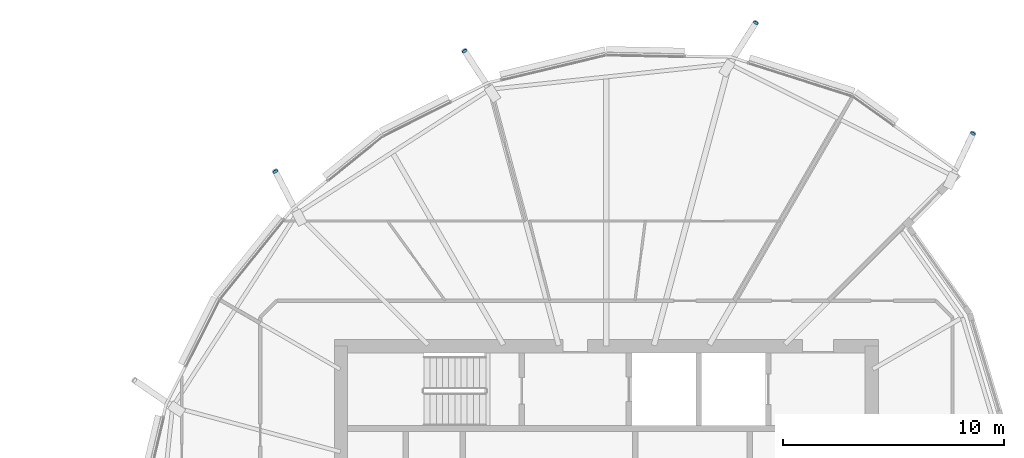
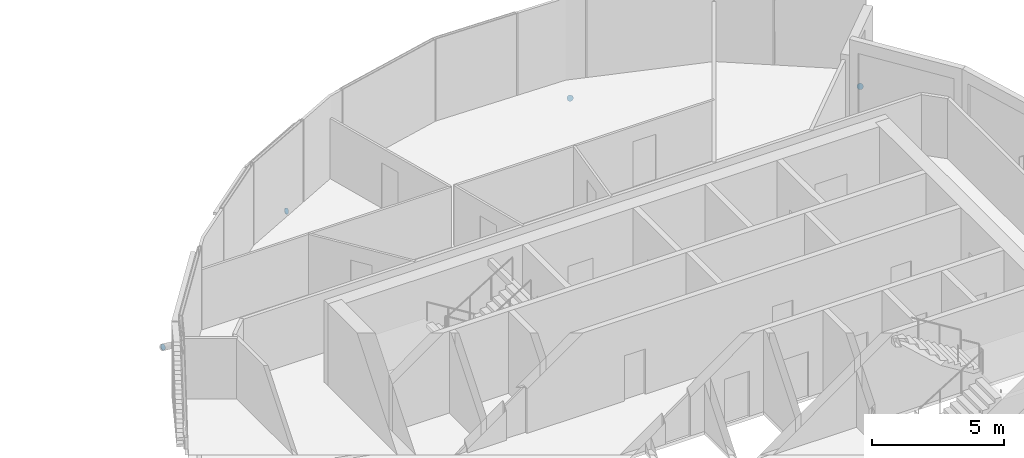
# One storey, part 31 of 37: 4 discrete accessories.
"""IFC4 building model written with IfcOpenShell, lengths in metres."""

from ifc_helpers import new_model, si_unit, direction, frame, origin, origin_2d, place, context, subcontext, project, spatial, circle, extrude, material, material_profile, profile_set, type_object, element, save


model = new_model("IFC4")

# Units and contexts
model_context = context("Model", 3, precision=1e-05, world=origin(), true_north=direction((0.0, 1.0)))
body_context = subcontext(model_context, "Body", "Model", "MODEL_VIEW")
ifc_project = project(units=[si_unit("LENGTHUNIT", "METRE"), si_unit("AREAUNIT", "SQUARE_METRE"), si_unit("VOLUMEUNIT", "CUBIC_METRE"), si_unit("PLANEANGLEUNIT", "RADIAN"), si_unit("MASSUNIT", "GRAM", prefix="KILO")], contexts=[model_context])

# Site, building, storey
site_placement = place(None, origin())
site = spatial("IfcSite", under=ifc_project, at=site_placement, CompositionType="ELEMENT")
building_placement = place(site_placement, origin())
building = spatial("IfcBuilding", under=site, at=building_placement, Name="Rimbun Link Towers", CompositionType="ELEMENT")
storey_placement = place(building_placement, frame((0.0, 0.0, 162.699951171875)))
storey = spatial("IfcBuildingStorey", under=building, at=storey_placement, Name="L39", CompositionType="ELEMENT", Elevation=162.699951171875)

# Discrete accessories
ifc_material = material(Name="Steel S355J2H", Category="steel")
ifc_material_profile = material_profile(ifc_material, circle(Radius=0.1240234375, at=origin_2d()), Name="PL D248")
ifc_profile_set = profile_set([ifc_material_profile], Name="Steel S355J2H")
discrete_accessory_type = type_object("IfcDiscreteAccessoryType", Name="Link foot sealing plate D248X20", PredefinedType="BRACKET", material=ifc_profile_set)
discrete_accessory_placement = place(storey_placement, frame((48.3251953125, 17.608154296875, -2.056884765625), z_axis=(0.371618558367, 0.792786257851, -0.483104125878), x_axis=(-0.905458935959, 0.424433876231, 0.0)))
element("IfcDiscreteAccessory", 1, at=discrete_accessory_placement, inside=storey, type_object=discrete_accessory_type, Name="Link foot sealing plate T2 L39 00", PredefinedType="BRACKET", context=body_context, shape_type="SweptSolid", body=[
    extrude(circle(Radius=0.1240234375, at=origin_2d()), origin(), (0.0, 0.0, 1.0), 0.019775390625),
])
for number, where, z_axis, x_axis, name in (
    (2, (38.501953125, 22.614013671875, -2.19775390625), (0.462008213197, 0.74164476329, -0.486324434944), (-0.848779090136, 0.528747629921, 0.0), "Link foot sealing plate T2 L39 02"),
    (3, (25.34375, 21.34033203125, -2.0498046875), (-0.475715891351, 0.731870602079, -0.487913734719), (-0.838443616301, -0.544988350595, 0.0), "Link foot sealing plate T2 L39 04"),
    (4, (16.786376953125, 15.89404296875, -2.0576171875), (-0.400714490161, 0.752857526968, -0.522143123542), (-0.882746759079, -0.469849081445, 0.0), "Link foot sealing plate T2 L39 06"),
):
    element("IfcDiscreteAccessory", number, at=place(storey_placement, frame(where, z_axis=z_axis, x_axis=x_axis)), inside=storey, type_object=discrete_accessory_type, Name=name, PredefinedType="BRACKET", context=body_context, shape_type="SweptSolid", body=[
        extrude(circle(Radius=0.1240234375, at=origin_2d()), origin(), (0.0, 0.0, 1.0), 0.02001953125),
    ])

save(model, "model.ifc")
